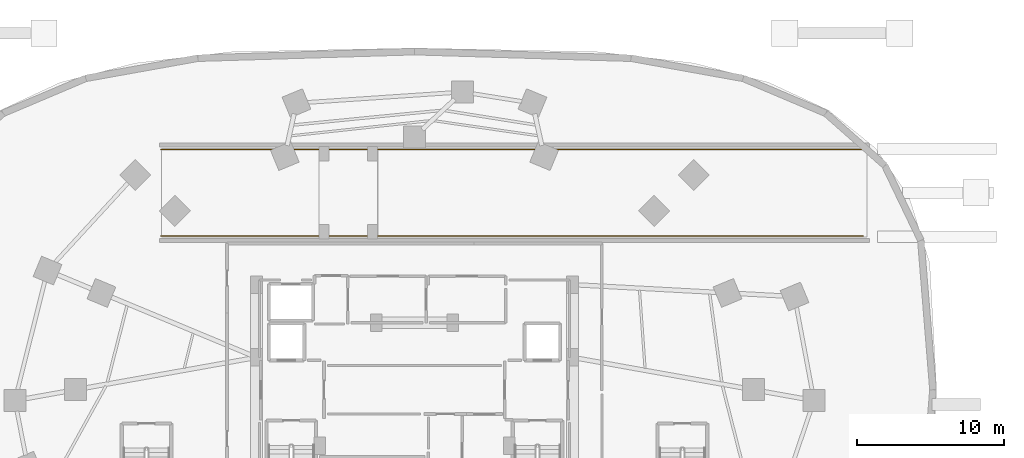
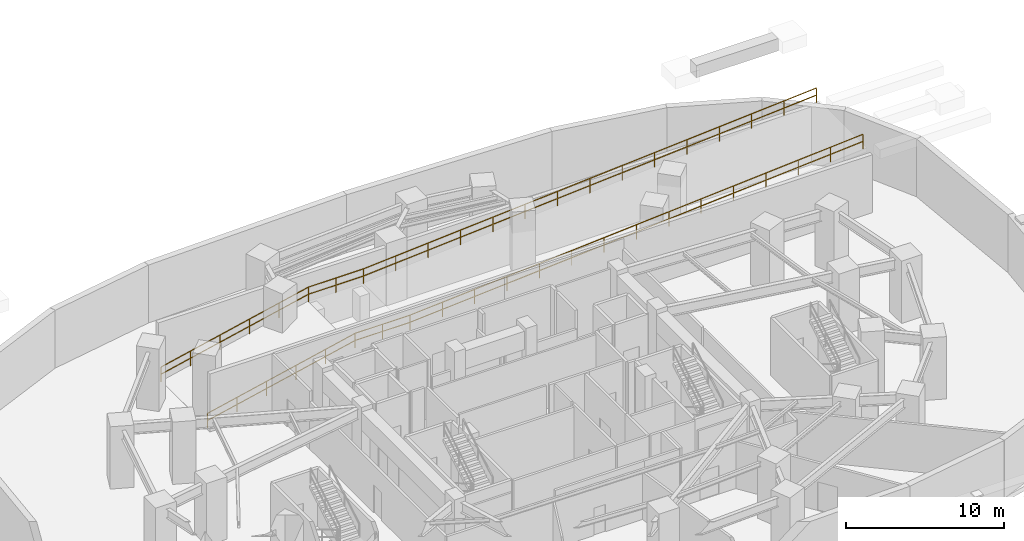
# One storey, part 8 of 8: 2 railings.
"""IFC4 building model written with IfcOpenShell, lengths in metres."""

from ifc_helpers import new_model, si_unit, direction, frame, origin, origin_2d, place, context, subcontext, project, spatial, rectangle, extrude, material, type_object, element, save


model = new_model("IFC4")

# Units and contexts
model_context = context("Model", 3, precision=1e-05, world=origin(), true_north=direction((0.0, 1.0)))
body_context = subcontext(model_context, "Body", "Model", "MODEL_VIEW")
ifc_project = project(units=[si_unit("LENGTHUNIT", "METRE"), si_unit("AREAUNIT", "SQUARE_METRE"), si_unit("VOLUMEUNIT", "CUBIC_METRE"), si_unit("PLANEANGLEUNIT", "RADIAN"), si_unit("MASSUNIT", "GRAM", prefix="KILO")], contexts=[model_context])

# Site, building, storey
site_placement = place(None, origin())
site = spatial("IfcSite", under=ifc_project, at=site_placement, CompositionType="ELEMENT")
building_placement = place(site_placement, origin())
building = spatial("IfcBuilding", under=site, at=building_placement, Name="Vorneva Point Tower", CompositionType="ELEMENT")
storey_placement = place(building_placement, frame((0.0, 0.0, -4.800048828125)))
storey = spatial("IfcBuildingStorey", under=building, at=storey_placement, Name="B01", CompositionType="ELEMENT", Elevation=-4.800048828125)

# Railings
ifc_material = material(Name="Galvanised steel S355", Category="steel")
railing_type = type_object("IfcRailingType", Name="RL-QUAY-1150", PredefinedType="GUARDRAIL", material=ifc_material)
railing_1_placement = place(storey_placement, frame((20.75, 36.4599609375, 0.0)))
element("IfcRailing", 1, at=railing_1_placement, inside=storey, type_object=railing_type, Name="B01 Car Park Vehicle Ramp Guardrail S", PredefinedType="GUARDRAIL", context=body_context, shape_type="SweptSolid", body=[
    extrude(rectangle(XDim=0.048095703125, YDim=0.048095703125, at=origin_2d()), frame((0.0, 0.0, 1.1259765625), z_axis=(0.975970139421, 0.0, 0.217904306883), x_axis=(0.0, 1.0, 0.0)), (0.0, 0.0, 1.0), 11.0146484375),
    extrude(rectangle(XDim=0.048095703125, YDim=0.048095703125, at=origin_2d()), frame((0.0, 0.0, 0.574951171875), z_axis=(0.975970139421, 0.0, 0.217904306883), x_axis=(0.0, 1.0, 0.0)), (0.0, 0.0, 1.0), 11.0146484375),
    extrude(rectangle(XDim=0.048095703125, YDim=0.048095703125, at=origin_2d()), frame((10.75, 0.0, 3.52587890625), z_axis=(1.0, 0.0, 0.0), x_axis=(0.0, 1.0, 0.0)), (0.0, 0.0, 1.0), 4.0),
    extrude(rectangle(XDim=0.048095703125, YDim=0.048095703125, at=origin_2d()), frame((10.75, 0.0, 2.97509765625), z_axis=(1.0, 0.0, 0.0), x_axis=(0.0, 1.0, 0.0)), (0.0, 0.0, 1.0), 4.0),
    extrude(rectangle(XDim=0.048095703125, YDim=0.048095703125, at=origin_2d()), frame((14.75, 0.0, 3.52587890625), z_axis=(0.99741274934, 0.0, 0.071887463812), x_axis=(0.0, 1.0, 0.0)), (0.0, 0.0, 1.0), 33.105712890625),
    extrude(rectangle(XDim=0.048095703125, YDim=0.048095703125, at=origin_2d()), frame((14.75, 0.0, 2.97509765625), z_axis=(0.99741274934, 0.0, 0.071887463812), x_axis=(0.0, 1.0, 0.0)), (0.0, 0.0, 1.0), 33.105712890625),
    extrude(rectangle(XDim=0.0419921875, YDim=0.0419921875, at=origin_2d()), origin(), (0.0, 0.0, 1.0), 1.101806640625),
    extrude(rectangle(XDim=0.0419921875, YDim=0.0419921875, at=origin_2d()), frame((2.14990234375, 0.0, 0.47998046875)), (0.0, 0.0, 1.0), 1.101806640625),
    extrude(rectangle(XDim=0.0419921875, YDim=0.0419921875, at=origin_2d()), frame((4.300048828125, 0.0, 0.9599609375)), (0.0, 0.0, 1.0), 1.101806640625),
    extrude(rectangle(XDim=0.0419921875, YDim=0.0419921875, at=origin_2d()), frame((6.449951171875, 0.0, 1.440185546875)), (0.0, 0.0, 1.0), 1.101806640625),
    extrude(rectangle(XDim=0.0419921875, YDim=0.0419921875, at=origin_2d()), frame((8.60009765625, 0.0, 1.920166015625)), (0.0, 0.0, 1.0), 1.101806640625),
    extrude(rectangle(XDim=0.0419921875, YDim=0.0419921875, at=origin_2d()), frame((10.75, 0.0, 2.400146484375)), (0.0, 0.0, 1.0), 1.101806640625),
    extrude(rectangle(XDim=0.0419921875, YDim=0.0419921875, at=origin_2d()), frame((12.75, 0.0, 2.400146484375)), (0.0, 0.0, 1.0), 1.101806640625),
    extrude(rectangle(XDim=0.0419921875, YDim=0.0419921875, at=origin_2d()), frame((14.75, 0.0, 2.400146484375)), (0.0, 0.0, 1.0), 1.101806640625),
    extrude(rectangle(XDim=0.0419921875, YDim=0.0419921875, at=origin_2d()), frame((17.108642578125, 0.0, 2.570068359375)), (0.0, 0.0, 1.0), 1.101806640625),
    extrude(rectangle(XDim=0.0419921875, YDim=0.0419921875, at=origin_2d()), frame((19.467041015625, 0.0, 2.740234375)), (0.0, 0.0, 1.0), 1.101806640625),
    extrude(rectangle(XDim=0.0419921875, YDim=0.0419921875, at=origin_2d()), frame((21.82568359375, 0.0, 2.91015625)), (0.0, 0.0, 1.0), 1.101806640625),
    extrude(rectangle(XDim=0.0419921875, YDim=0.0419921875, at=origin_2d()), frame((24.184326171875, 0.0, 3.080078125)), (0.0, 0.0, 1.0), 1.101806640625),
    extrude(rectangle(XDim=0.0419921875, YDim=0.0419921875, at=origin_2d()), frame((26.54296875, 0.0, 3.25)), (0.0, 0.0, 1.0), 1.101806640625),
    extrude(rectangle(XDim=0.0419921875, YDim=0.0419921875, at=origin_2d()), frame((28.9013671875, 0.0, 3.420166015625)), (0.0, 0.0, 1.0), 1.101806640625),
    extrude(rectangle(XDim=0.0419921875, YDim=0.0419921875, at=origin_2d()), frame((31.260009765625, 0.0, 3.590087890625)), (0.0, 0.0, 1.0), 1.101806640625),
    extrude(rectangle(XDim=0.0419921875, YDim=0.0419921875, at=origin_2d()), frame((33.61865234375, 0.0, 3.760009765625)), (0.0, 0.0, 1.0), 1.101806640625),
    extrude(rectangle(XDim=0.0419921875, YDim=0.0419921875, at=origin_2d()), frame((35.97705078125, 0.0, 3.93017578125)), (0.0, 0.0, 1.0), 1.101806640625),
    extrude(rectangle(XDim=0.0419921875, YDim=0.0419921875, at=origin_2d()), frame((38.335693359375, 0.0, 4.10009765625)), (0.0, 0.0, 1.0), 1.101806640625),
    extrude(rectangle(XDim=0.0419921875, YDim=0.0419921875, at=origin_2d()), frame((40.6943359375, 0.0, 4.27001953125)), (0.0, 0.0, 1.0), 1.101806640625),
    extrude(rectangle(XDim=0.0419921875, YDim=0.0419921875, at=origin_2d()), frame((43.052978515625, 0.0, 4.43994140625)), (0.0, 0.0, 1.0), 1.101806640625),
    extrude(rectangle(XDim=0.0419921875, YDim=0.0419921875, at=origin_2d()), frame((45.411376953125, 0.0, 4.610107421875)), (0.0, 0.0, 1.0), 1.101806640625),
    extrude(rectangle(XDim=0.0419921875, YDim=0.0419921875, at=origin_2d()), frame((47.77001953125, 0.0, 4.780029296875)), (0.0, 0.0, 1.0), 1.101806640625),
])
railing_2_placement = place(storey_placement, frame((20.75, 42.340087890625, 0.0)))
element("IfcRailing", 2, at=railing_2_placement, inside=storey, type_object=railing_type, Name="B01 Car Park Vehicle Ramp Guardrail N", PredefinedType="GUARDRAIL", context=body_context, shape_type="SweptSolid", body=[
    extrude(rectangle(XDim=0.048095703125, YDim=0.048095703125, at=origin_2d()), frame((0.0, 0.0, 1.1259765625), z_axis=(0.975970139421, 0.0, 0.217904306883), x_axis=(0.0, 1.0, 0.0)), (0.0, 0.0, 1.0), 11.0146484375),
    extrude(rectangle(XDim=0.048095703125, YDim=0.048095703125, at=origin_2d()), frame((0.0, 0.0, 0.574951171875), z_axis=(0.975970139421, 0.0, 0.217904306883), x_axis=(0.0, 1.0, 0.0)), (0.0, 0.0, 1.0), 11.0146484375),
    extrude(rectangle(XDim=0.048095703125, YDim=0.048095703125, at=origin_2d()), frame((10.75, 0.0, 3.52587890625), z_axis=(1.0, 0.0, 0.0), x_axis=(0.0, 1.0, 0.0)), (0.0, 0.0, 1.0), 4.0),
    extrude(rectangle(XDim=0.048095703125, YDim=0.048095703125, at=origin_2d()), frame((10.75, 0.0, 2.97509765625), z_axis=(1.0, 0.0, 0.0), x_axis=(0.0, 1.0, 0.0)), (0.0, 0.0, 1.0), 4.0),
    extrude(rectangle(XDim=0.048095703125, YDim=0.048095703125, at=origin_2d()), frame((14.75, 0.0, 3.52587890625), z_axis=(0.99741274934, 0.0, 0.071887463812), x_axis=(0.0, 1.0, 0.0)), (0.0, 0.0, 1.0), 33.105712890625),
    extrude(rectangle(XDim=0.048095703125, YDim=0.048095703125, at=origin_2d()), frame((14.75, 0.0, 2.97509765625), z_axis=(0.99741274934, 0.0, 0.071887463812), x_axis=(0.0, 1.0, 0.0)), (0.0, 0.0, 1.0), 33.105712890625),
    extrude(rectangle(XDim=0.0419921875, YDim=0.0419921875, at=origin_2d()), origin(), (0.0, 0.0, 1.0), 1.101806640625),
    extrude(rectangle(XDim=0.0419921875, YDim=0.0419921875, at=origin_2d()), frame((2.14990234375, 0.0, 0.47998046875)), (0.0, 0.0, 1.0), 1.101806640625),
    extrude(rectangle(XDim=0.0419921875, YDim=0.0419921875, at=origin_2d()), frame((4.300048828125, 0.0, 0.9599609375)), (0.0, 0.0, 1.0), 1.101806640625),
    extrude(rectangle(XDim=0.0419921875, YDim=0.0419921875, at=origin_2d()), frame((6.449951171875, 0.0, 1.440185546875)), (0.0, 0.0, 1.0), 1.101806640625),
    extrude(rectangle(XDim=0.0419921875, YDim=0.0419921875, at=origin_2d()), frame((8.60009765625, 0.0, 1.920166015625)), (0.0, 0.0, 1.0), 1.101806640625),
    extrude(rectangle(XDim=0.0419921875, YDim=0.0419921875, at=origin_2d()), frame((10.75, 0.0, 2.400146484375)), (0.0, 0.0, 1.0), 1.101806640625),
    extrude(rectangle(XDim=0.0419921875, YDim=0.0419921875, at=origin_2d()), frame((12.75, 0.0, 2.400146484375)), (0.0, 0.0, 1.0), 1.101806640625),
    extrude(rectangle(XDim=0.0419921875, YDim=0.0419921875, at=origin_2d()), frame((14.75, 0.0, 2.400146484375)), (0.0, 0.0, 1.0), 1.101806640625),
    extrude(rectangle(XDim=0.0419921875, YDim=0.0419921875, at=origin_2d()), frame((17.108642578125, 0.0, 2.570068359375)), (0.0, 0.0, 1.0), 1.101806640625),
    extrude(rectangle(XDim=0.0419921875, YDim=0.0419921875, at=origin_2d()), frame((19.467041015625, 0.0, 2.740234375)), (0.0, 0.0, 1.0), 1.101806640625),
    extrude(rectangle(XDim=0.0419921875, YDim=0.0419921875, at=origin_2d()), frame((21.82568359375, 0.0, 2.91015625)), (0.0, 0.0, 1.0), 1.101806640625),
    extrude(rectangle(XDim=0.0419921875, YDim=0.0419921875, at=origin_2d()), frame((24.184326171875, 0.0, 3.080078125)), (0.0, 0.0, 1.0), 1.101806640625),
    extrude(rectangle(XDim=0.0419921875, YDim=0.0419921875, at=origin_2d()), frame((26.54296875, 0.0, 3.25)), (0.0, 0.0, 1.0), 1.101806640625),
    extrude(rectangle(XDim=0.0419921875, YDim=0.0419921875, at=origin_2d()), frame((28.9013671875, 0.0, 3.420166015625)), (0.0, 0.0, 1.0), 1.101806640625),
    extrude(rectangle(XDim=0.0419921875, YDim=0.0419921875, at=origin_2d()), frame((31.260009765625, 0.0, 3.590087890625)), (0.0, 0.0, 1.0), 1.101806640625),
    extrude(rectangle(XDim=0.0419921875, YDim=0.0419921875, at=origin_2d()), frame((33.61865234375, 0.0, 3.760009765625)), (0.0, 0.0, 1.0), 1.101806640625),
    extrude(rectangle(XDim=0.0419921875, YDim=0.0419921875, at=origin_2d()), frame((35.97705078125, 0.0, 3.93017578125)), (0.0, 0.0, 1.0), 1.101806640625),
    extrude(rectangle(XDim=0.0419921875, YDim=0.0419921875, at=origin_2d()), frame((38.335693359375, 0.0, 4.10009765625)), (0.0, 0.0, 1.0), 1.101806640625),
    extrude(rectangle(XDim=0.0419921875, YDim=0.0419921875, at=origin_2d()), frame((40.6943359375, 0.0, 4.27001953125)), (0.0, 0.0, 1.0), 1.101806640625),
    extrude(rectangle(XDim=0.0419921875, YDim=0.0419921875, at=origin_2d()), frame((43.052978515625, 0.0, 4.43994140625)), (0.0, 0.0, 1.0), 1.101806640625),
    extrude(rectangle(XDim=0.0419921875, YDim=0.0419921875, at=origin_2d()), frame((45.411376953125, 0.0, 4.610107421875)), (0.0, 0.0, 1.0), 1.101806640625),
    extrude(rectangle(XDim=0.0419921875, YDim=0.0419921875, at=origin_2d()), frame((47.77001953125, 0.0, 4.780029296875)), (0.0, 0.0, 1.0), 1.101806640625),
])

save(model, "model.ifc")
